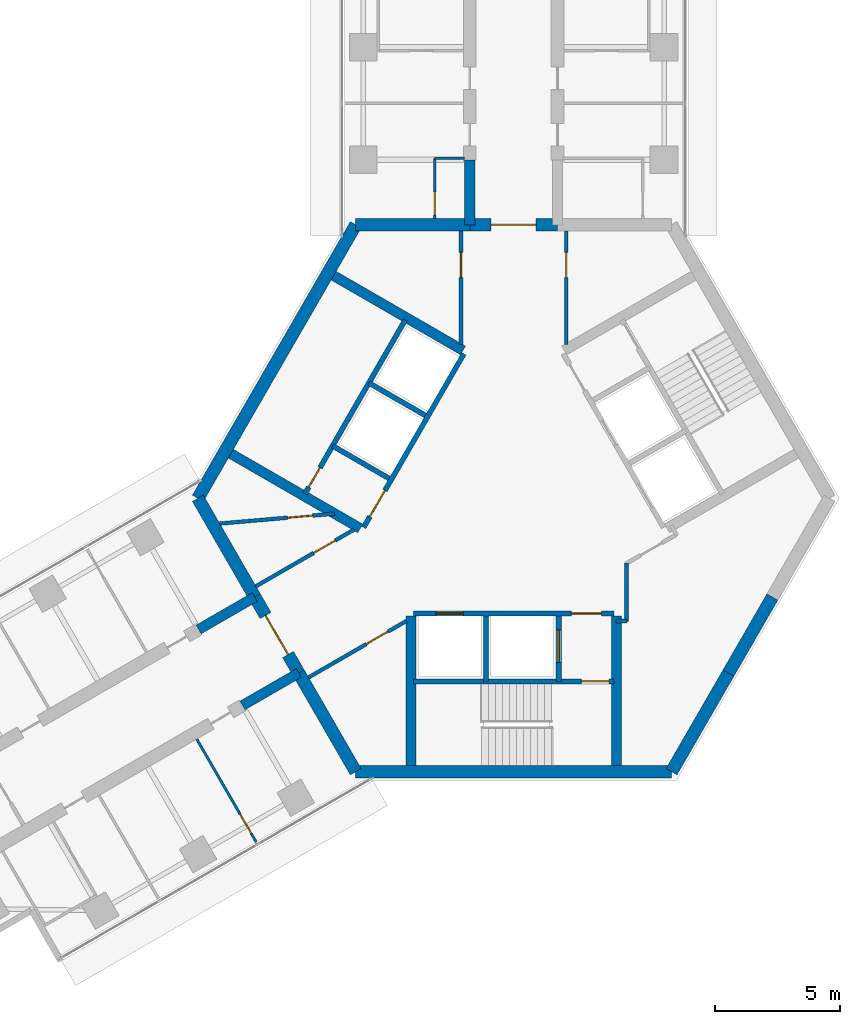
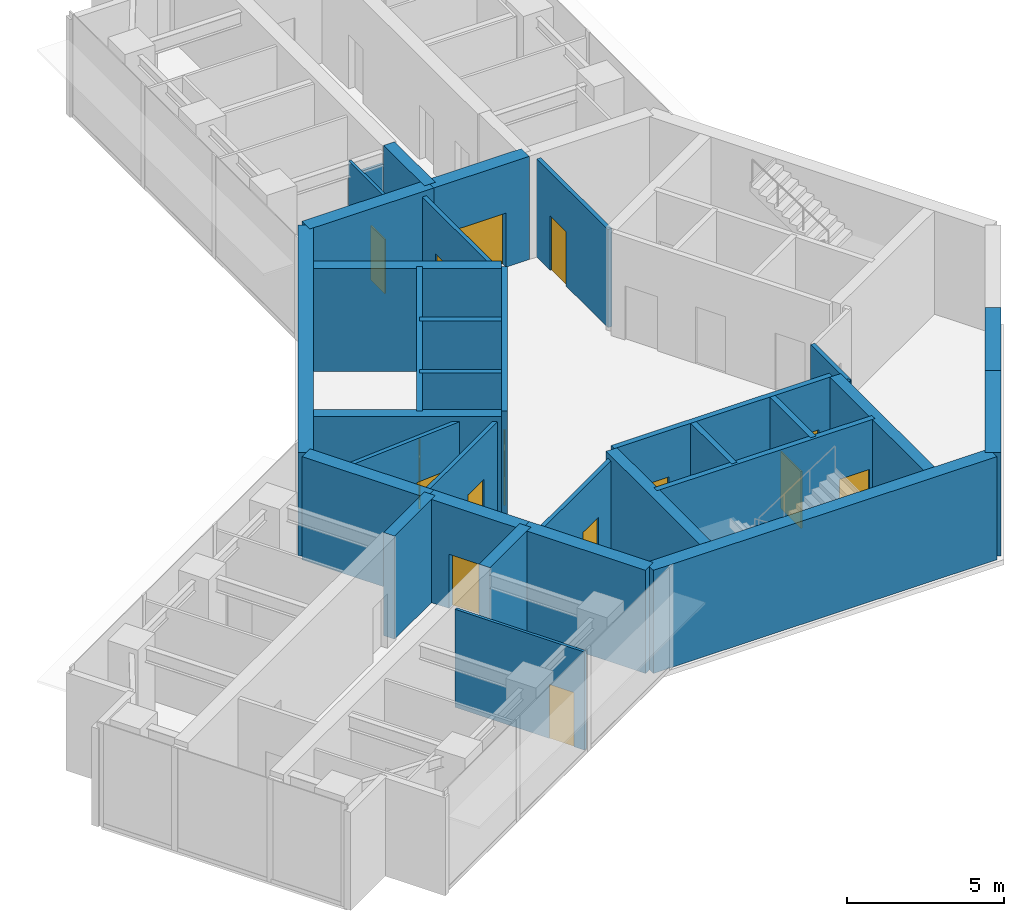
# One storey, part 14 of 17: 34 walls, 15 doors, 15 openings.
"""IFC4 building model written with IfcOpenShell, lengths in metres."""

from ifc_helpers import new_model, si_unit, direction, frame, frame_2d, origin, place, context, subcontext, project, spatial, rectangle, extrude, material, layer, layer_set, type_object, element, fill, save


model = new_model("IFC4")

# Units and contexts
model_context = context("Model", 3, precision=1e-05, world=origin(), true_north=direction((0.0, 1.0)))
body_context = subcontext(model_context, "Body", "Model", "MODEL_VIEW")
ifc_project = project(units=[si_unit("LENGTHUNIT", "METRE"), si_unit("AREAUNIT", "SQUARE_METRE"), si_unit("VOLUMEUNIT", "CUBIC_METRE"), si_unit("PLANEANGLEUNIT", "RADIAN"), si_unit("MASSUNIT", "GRAM", prefix="KILO")], contexts=[model_context])

# Site, building, storey
site_placement = place(None, origin())
site = spatial("IfcSite", under=ifc_project, at=site_placement, CompositionType="ELEMENT")
building_placement = place(site_placement, origin())
building = spatial("IfcBuilding", under=site, at=building_placement, Name="Upepo Twin Towers", CompositionType="ELEMENT")
storey_placement = place(building_placement, frame((0.0, 0.0, 230.5)))
storey = spatial("IfcBuildingStorey", under=building, at=storey_placement, Name="L56", CompositionType="ELEMENT", Elevation=230.5)

# Walls
ifc_material_1 = material(Name="Concrete C60/75", Category="concrete")
ifc_layer_1 = layer(ifc_material_1, 0.39990234375)
ifc_layer_set_1 = layer_set([ifc_layer_1], Name="Concrete C60/75")
wall_type_1 = type_object("IfcWallType", Name="Buttress wall 400 RC", PredefinedType="SHEAR", material=ifc_layer_set_1)
wall_1_placement = place(storey_placement, frame((56.75, -7.091552734375, 0.0), z_axis=(0.0, 0.0, 1.0), x_axis=(0.0, 1.0, 0.0)))
element("IfcWall", 1, at=wall_1_placement, inside=storey, type_object=wall_type_1, Name="T2 wing A buttress wall L", PredefinedType="SHEAR", context=body_context, shape_type="SweptSolid", body=[
    extrude(rectangle(XDim=2.591552734375, YDim=0.39990234375, at=frame_2d((1.2958984375, 0.0))), origin(), (0.0, 0.0, 1.0), 4.0),
])
for number, where, z_axis, x_axis, name in (
    (2, (49.92822265625, -24.9697265625, 0.0), (0.0, 0.0, 1.0), (-0.866031863473, -0.499988811324, 0.0), "T2 wing B buttress wall L"),
    (3, (48.17822265625, -21.938720703125, 0.0), (0.0, 0.0, 1.0), (-0.866072649678, -0.499918158782, 0.0), "T2 wing B buttress wall R"),
):
    element("IfcWall", number, at=place(storey_placement, frame(where, z_axis=z_axis, x_axis=x_axis)), inside=storey, type_object=wall_type_1, Name=name, PredefinedType="SHEAR", context=body_context, shape_type="SweptSolid", body=[
        extrude(rectangle(XDim=2.591796875, YDim=0.39990234375, at=frame_2d((1.2958984375, 0.0))), origin(), (0.0, 0.0, 1.0), 4.0),
    ])

# Wall, opening, door
ifc_material_2 = material(Name="Concrete C60/75", Category="concrete")
ifc_layer_2 = layer(ifc_material_2, 0.5)
ifc_layer_set_2 = layer_set([ifc_layer_2], Name="Concrete C60/75")
wall_type_2 = type_object("IfcWallType", Name="Core wall 500 RC", PredefinedType="SHEAR", material=ifc_layer_set_2)
wall_2_placement = place(storey_placement, frame((60.25, -7.091552734375, 0.0), z_axis=(0.0, 0.0, 1.0), x_axis=(-1.0, 0.0, 0.0)))
wall_2 = element("IfcWall", 4, at=wall_2_placement, inside=storey, type_object=wall_type_2, Name="T2 core wall 000", PredefinedType="SHEAR", context=body_context, shape_type="SweptSolid", body=[
    extrude(rectangle(XDim=3.5, YDim=0.5, at=frame_2d((1.75, 0.0))), origin(), (0.0, 0.0, 1.0), 4.0),
])
opening_1_placement = place(wall_2_placement, frame((0.85009765625, 0.0, 0.0)))
opening_1 = element("IfcOpeningElement", 5, at=opening_1_placement, cuts=wall_2, Name="Opening D2", PredefinedType="OPENING", context=body_context, shape_type="SweptSolid", body=[
    extrude(rectangle(XDim=1.800048828125, YDim=2.10009765625, at=frame_2d((0.89990234375, 1.050048828125))), frame((0.0, 0.260009765625, 0.0), z_axis=(0.0, -1.0, 0.0), x_axis=(1.0, 0.0, 0.0)), (0.0, 0.0, 1.0), 0.52001953125),
])
ifc_material_3 = material(Name="Timber doorset", Category="wood")
door_type_1 = type_object("IfcDoorType", Name="Corridor double door 1800 FD60", OperationType="DOUBLE_DOOR_DOUBLE_SWING", PredefinedType="DOOR", material=ifc_material_3)
door_1_placement = place(opening_1_placement, origin())
door_1 = element("IfcDoor", 6, at=door_1_placement, inside=storey, type_object=door_type_1, Name="T2 L56 wing A corridor door", OperationType="DOUBLE_DOOR_DOUBLE_SWING", OverallHeight=2.10009765625, OverallWidth=1.800048828125, PredefinedType="DOOR", context=body_context, shape_type="SweptSolid", body=[
    extrude(rectangle(XDim=1.800048828125, YDim=2.10009765625, at=frame_2d((0.89990234375, 1.050048828125))), frame((0.0, 0.02490234375, 0.0), z_axis=(0.0, -1.0, 0.0), x_axis=(1.0, 0.0, 0.0)), (0.0, 0.0, 1.0), 0.050048828125),
])
fill(opening_1, door_1)

# Walls
wall_3_placement = place(storey_placement, frame((56.75, -7.091552734375, 0.0), z_axis=(0.0, 0.0, 1.0), x_axis=(-1.0, 0.0, 0.0)))
element("IfcWall", 7, at=wall_3_placement, inside=storey, type_object=wall_type_2, Name="T2 core wall 000 L", PredefinedType="SHEAR", context=body_context, shape_type="SweptSolid", body=[
    extrude(rectangle(XDim=4.5478515625, YDim=0.5, at=frame_2d((2.27392578125, 0.0))), origin(), (0.0, 0.0, 1.0), 4.0),
])
wall_4_placement = place(storey_placement, frame((52.2021484375, -7.091552734375, 0.0), z_axis=(0.0, 0.0, 1.0), x_axis=(-0.500005998175, -0.866021940709, 0.0)))
element("IfcWall", 8, at=wall_4_placement, inside=storey, type_object=wall_type_2, Name="T2 core wall 060", PredefinedType="SHEAR", context=body_context, shape_type="SweptSolid", body=[
    extrude(rectangle(XDim=12.595947265625, YDim=0.5, at=frame_2d((6.2978515625, 0.0))), origin(), (0.0, 0.0, 1.0), 4.0),
])
wall_5_placement = place(storey_placement, frame((45.904052734375, -18.0, 0.0), z_axis=(0.0, 0.0, 1.0), x_axis=(0.500024481964, -0.866011268655, 0.0)))
element("IfcWall", 9, at=wall_5_placement, inside=storey, type_object=wall_type_2, Name="T2 core wall 120 R", PredefinedType="SHEAR", context=body_context, shape_type="SweptSolid", body=[
    extrude(rectangle(XDim=4.548095703125, YDim=0.5, at=frame_2d((2.27392578125, 0.0))), origin(), (0.0, 0.0, 1.0), 4.0),
])

# Wall, opening, door
wall_6_placement = place(storey_placement, frame((48.17822265625, -21.938720703125, 0.0), z_axis=(0.0, 0.0, 1.0), x_axis=(0.500010275428, -0.866019471182, 0.0)))
wall_6 = element("IfcWall", 10, at=wall_6_placement, inside=storey, type_object=wall_type_2, Name="T2 core wall 120", PredefinedType="SHEAR", context=body_context, shape_type="SweptSolid", body=[
    extrude(rectangle(XDim=3.5, YDim=0.5, at=frame_2d((1.75, 0.0))), origin(), (0.0, 0.0, 1.0), 4.0),
])
opening_2_placement = place(wall_6_placement, frame((0.85009765625, 0.0, 0.0)))
opening_2 = element("IfcOpeningElement", 11, at=opening_2_placement, cuts=wall_6, Name="Opening D2", PredefinedType="OPENING", context=body_context, shape_type="SweptSolid", body=[
    extrude(rectangle(XDim=1.800048828125, YDim=2.10009765625, at=frame_2d((0.89990234375, 1.050048828125))), frame((0.0, 0.260009765625, 0.0), z_axis=(0.0, -1.0, 0.0), x_axis=(1.0, 0.0, 0.0)), (0.0, 0.0, 1.0), 0.52001953125),
])
door_2_placement = place(opening_2_placement, origin())
door_2 = element("IfcDoor", 12, at=door_2_placement, inside=storey, type_object=door_type_1, Name="T2 L56 wing B corridor door", OperationType="DOUBLE_DOOR_DOUBLE_SWING", OverallHeight=2.10009765625, OverallWidth=1.800048828125, PredefinedType="DOOR", context=body_context, shape_type="SweptSolid", body=[
    extrude(rectangle(XDim=1.800048828125, YDim=2.10009765625, at=frame_2d((0.89990234375, 1.050048828125))), frame((0.0, 0.02490234375, 0.0), z_axis=(0.0, -1.0, 0.0), x_axis=(1.0, 0.0, 0.0)), (0.0, 0.0, 1.0), 0.050048828125),
])
fill(opening_2, door_2)

# Walls
wall_7_placement = place(storey_placement, frame((49.92822265625, -24.9697265625, 0.0), z_axis=(0.0, 0.0, 1.0), x_axis=(0.499984222037, -0.866034513004, 0.0)))
element("IfcWall", 13, at=wall_7_placement, inside=storey, type_object=wall_type_2, Name="T2 core wall 120 L", PredefinedType="SHEAR", context=body_context, shape_type="SweptSolid", body=[
    extrude(rectangle(XDim=4.548095703125, YDim=0.5, at=frame_2d((2.27392578125, 0.0))), origin(), (0.0, 0.0, 1.0), 4.0),
])
wall_8_placement = place(storey_placement, frame((52.2021484375, -28.908447265625, 0.0), z_axis=(0.0, 0.0, 1.0), x_axis=(1.0, 0.0, 0.0)))
element("IfcWall", 14, at=wall_8_placement, inside=storey, type_object=wall_type_2, Name="T2 core wall 180", PredefinedType="SHEAR", context=body_context, shape_type="SweptSolid", body=[
    extrude(rectangle(XDim=12.595703125, YDim=0.5, at=frame_2d((6.2978515625, 0.0))), origin(), (0.0, 0.0, 1.0), 4.0),
])
wall_9_placement = place(storey_placement, frame((64.7978515625, -28.908447265625, 0.0), z_axis=(0.0, 0.0, 1.0), x_axis=(0.499984222037, 0.866034513004, 0.0)))
element("IfcWall", 15, at=wall_9_placement, inside=storey, type_object=wall_type_2, Name="T2 core wall 240 R", PredefinedType="SHEAR", context=body_context, shape_type="SweptSolid", body=[
    extrude(rectangle(XDim=4.548095703125, YDim=0.5, at=frame_2d((2.27392578125, 0.0))), origin(), (0.0, 0.0, 1.0), 4.0),
])
wall_10_placement = place(storey_placement, frame((67.07177734375, -24.9697265625, 0.0), z_axis=(0.0, 0.0, 1.0), x_axis=(0.500010275428, 0.866019471182, 0.0)))
element("IfcWall", 16, at=wall_10_placement, inside=storey, type_object=wall_type_2, Name="T2 core wall 240", PredefinedType="SHEAR", context=body_context, shape_type="SweptSolid", body=[
    extrude(rectangle(XDim=3.5, YDim=0.5, at=frame_2d((1.75, 0.0))), origin(), (0.0, 0.0, 1.0), 4.0),
])

# Wall, opening, door
ifc_material_4 = material(Name="Gypsum board on steel studs", Category="steel")
ifc_layer_3 = layer(ifc_material_4, 0.10009765625)
ifc_layer_set_3 = layer_set([ifc_layer_3], Name="Office partition 100 stud")
wall_type_3 = type_object("IfcWallType", Name="Office partition 100 stud", PredefinedType="PARTITIONING", material=ifc_layer_set_3)
wall_11_placement = place(storey_placement, frame((55.35009765625, -6.842041015625, 0.0), z_axis=(0.0, 0.0, 1.0), x_axis=(0.0, 1.0, 0.0)))
wall_11 = element("IfcWall", 17, at=wall_11_placement, inside=storey, type_object=wall_type_3, Name="T2 WC bay partition AL at 11.16", PredefinedType="PARTITIONING", context=body_context, shape_type="SweptSolid", body=[
    extrude(rectangle(XDim=2.400146484375, YDim=0.10009765625, at=frame_2d((1.2001953125, 0.0))), origin(), (0.0, 0.0, 1.0), 3.800048828125),
])
opening_3_placement = place(wall_11_placement, frame((0.14990234375, 0.0, 0.0)))
opening_3 = element("IfcOpeningElement", 18, at=opening_3_placement, cuts=wall_11, Name="Opening D14", PredefinedType="OPENING", context=body_context, shape_type="SweptSolid", body=[
    extrude(rectangle(XDim=0.89990234375, YDim=2.10009765625, at=frame_2d((0.449951171875, 1.050048828125))), frame((0.0, 0.06005859375, 0.0), z_axis=(0.0, -1.0, 0.0), x_axis=(1.0, 0.0, 0.0)), (0.0, 0.0, 1.0), 0.1201171875),
])
ifc_material_5 = material(Name="Timber doorset", Category="wood")
door_type_2 = type_object("IfcDoorType", Name="Office door 900 FD30", OperationType="SINGLE_SWING_LEFT", PredefinedType="DOOR", material=ifc_material_5)
door_3_placement = place(opening_3_placement, origin())
door_3 = element("IfcDoor", 19, at=door_3_placement, inside=storey, type_object=door_type_2, Name="T2 L56 WC bay inner room door", OperationType="SINGLE_SWING_LEFT", OverallHeight=2.10009765625, OverallWidth=0.89990234375, PredefinedType="DOOR", context=body_context, shape_type="SweptSolid", body=[
    extrude(rectangle(XDim=0.89990234375, YDim=2.10009765625, at=frame_2d((0.449951171875, 1.050048828125))), frame((0.0, 0.02490234375, 0.0), z_axis=(0.0, -1.0, 0.0), x_axis=(1.0, 0.0, 0.0)), (0.0, 0.0, 1.0), 0.050048828125),
])
fill(opening_3, door_3)

# Wall
wall_12_placement = place(storey_placement, frame((56.550048828125, -4.44189453125, 0.0), z_axis=(0.0, 0.0, 1.0), x_axis=(-1.0, 0.0, 0.0)))
element("IfcWall", 20, at=wall_12_placement, inside=storey, type_object=wall_type_3, Name="T2 WC bay partition AL end at 13.56", PredefinedType="PARTITIONING", context=body_context, shape_type="SweptSolid", body=[
    extrude(rectangle(XDim=1.199951171875, YDim=0.10009765625, at=frame_2d((0.60009765625, 0.0))), origin(), (0.0, 0.0, 1.0), 3.266845703125),
])

# Wall, opening, door
wall_13_placement = place(storey_placement, frame((45.860107421875, -27.60693359375, 0.0), z_axis=(0.0, 0.0, 1.0), x_axis=(0.499986429846, -0.866033238375, 0.0)))
wall_13 = element("IfcWall", 21, at=wall_13_placement, inside=storey, type_object=wall_type_3, Name="T2 partition BL at 15.75", PredefinedType="PARTITIONING", context=body_context, shape_type="SweptSolid", body=[
    extrude(rectangle(XDim=4.750244140625, YDim=0.10009765625, at=frame_2d((2.375, 0.0))), origin(), (0.0, 0.0, 1.0), 3.800048828125),
])
opening_4_placement = place(wall_13_placement, frame((3.449951171875, 0.0, 0.0)))
opening_4 = element("IfcOpeningElement", 22, at=opening_4_placement, cuts=wall_13, Name="Opening D14", PredefinedType="OPENING", context=body_context, shape_type="SweptSolid", body=[
    extrude(rectangle(XDim=0.89990234375, YDim=2.10009765625, at=frame_2d((0.449951171875, 1.050048828125))), frame((0.0, 0.06005859375, 0.0), z_axis=(0.0, -1.0, 0.0), x_axis=(1.0, 0.0, 0.0)), (0.0, 0.0, 1.0), 0.1201171875),
])
door_4_placement = place(opening_4_placement, origin())
door_4 = element("IfcDoor", 23, at=door_4_placement, inside=storey, type_object=door_type_2, Name="T2 L56 connecting door", OperationType="SINGLE_SWING_RIGHT", OverallHeight=2.10009765625, OverallWidth=0.89990234375, PredefinedType="DOOR", context=body_context, shape_type="SweptSolid", body=[
    extrude(rectangle(XDim=0.89990234375, YDim=2.10009765625, at=frame_2d((0.449951171875, 1.050048828125))), frame((0.0, 0.02490234375, 0.0), z_axis=(0.0, -1.0, 0.0), x_axis=(1.0, 0.0, 0.0)), (0.0, 0.0, 1.0), 0.050048828125),
])
fill(opening_4, door_4)

ifc_material_6 = material(Name="Concrete C40/50", Category="concrete")
ifc_layer_4 = layer(ifc_material_6, 0.199951171875)
ifc_layer_set_4 = layer_set([ifc_layer_4], Name="Concrete C40/50")
wall_type_4 = type_object("IfcWallType", Name="Shaft wall 200 RC", PredefinedType="SHEAR", material=ifc_layer_set_4)
wall_14_placement = place(storey_placement, frame((56.516357421875, -12.23583984375, 0.0), z_axis=(0.0, 0.0, 1.0), x_axis=(-0.49999894854, -0.866026010844, 0.0)))
wall_14 = element("IfcWall", 24, at=wall_14_placement, inside=storey, type_object=wall_type_4, Name="T2 core W60 front wall", PredefinedType="SHEAR", context=body_context, shape_type="SweptSolid", body=[
    extrude(rectangle(XDim=8.0, YDim=0.199951171875, at=frame_2d((4.0, 0.0))), origin(), (0.0, 0.0, 1.0), 4.0),
])
opening_5_placement = place(wall_14_placement, frame((6.300048828125, 0.0, 0.0)))
opening_5 = element("IfcOpeningElement", 25, at=opening_5_placement, cuts=wall_14, Name="Opening D4", PredefinedType="OPENING", context=body_context, shape_type="SweptSolid", body=[
    extrude(rectangle(XDim=1.199951171875, YDim=2.10009765625, at=frame_2d((0.60009765625, 1.050048828125))), frame((0.0, 0.10986328125, 0.0), z_axis=(0.0, -1.0, 0.0), x_axis=(1.0, 0.0, 0.0)), (0.0, 0.0, 1.0), 0.219970703125),
])
ifc_material_7 = material(Name="Timber doorset", Category="wood")
door_type_3 = type_object("IfcDoorType", Name="Lobby door 1200 FD60", OperationType="SINGLE_SWING_LEFT", PredefinedType="DOOR", material=ifc_material_7)
door_5_placement = place(opening_5_placement, origin())
door_5 = element("IfcDoor", 26, at=door_5_placement, inside=storey, type_object=door_type_3, Name="T2 L56 W60 lobby door", OperationType="SINGLE_SWING_RIGHT", OverallHeight=2.10009765625, OverallWidth=1.199951171875, PredefinedType="DOOR", context=body_context, shape_type="SweptSolid", body=[
    extrude(rectangle(XDim=1.199951171875, YDim=2.10009765625, at=frame_2d((0.60009765625, 1.050048828125))), frame((0.0, 0.02490234375, 0.0), z_axis=(0.0, -1.0, 0.0), x_axis=(1.0, 0.0, 0.0)), (0.0, 0.0, 1.0), 0.050048828125),
])
fill(opening_5, door_5)

# Walls
for number, where, z_axis, x_axis, name in (
    (27, (54.979736328125, -14.697265625, 0.0), (0.0, 0.0, 1.0), (-0.866062058628, 0.499936506574, 0.0), "T2 core W60 shaft divider"),
    (28, (53.52978515625, -17.208740234375, 0.0), (0.0, 0.0, 1.0), (-0.866062058628, 0.499936506574, 0.0), "T2 core W60 lobby wall"),
):
    element("IfcWall", number, at=place(storey_placement, frame(where, z_axis=z_axis, x_axis=x_axis)), inside=storey, type_object=wall_type_4, Name=name, PredefinedType="SHEAR", context=body_context, shape_type="SweptSolid", body=[
        extrude(rectangle(XDim=2.599853515625, YDim=0.199951171875, at=frame_2d((1.2998046875, 0.0))), origin(), (0.0, 0.0, 1.0), 4.0),
    ])

# Wall, opening, door
wall_15_placement = place(storey_placement, frame((54.177978515625, -10.885986328125, 0.0), z_axis=(0.0, 0.0, 1.0), x_axis=(-0.49999894854, -0.866026010844, 0.0)))
wall_15 = element("IfcWall", 29, at=wall_15_placement, inside=storey, type_object=wall_type_4, Name="T2 core W60 stair wall", PredefinedType="SHEAR", context=body_context, shape_type="SweptSolid", body=[
    extrude(rectangle(XDim=8.0, YDim=0.199951171875, at=frame_2d((4.0, 0.0))), origin(), (0.0, 0.0, 1.0), 4.0),
])
opening_6_placement = place(wall_15_placement, frame((6.800048828125, 0.0, 0.0)))
opening_6 = element("IfcOpeningElement", 30, at=opening_6_placement, cuts=wall_15, Name="Opening D9", PredefinedType="OPENING", context=body_context, shape_type="SweptSolid", body=[
    extrude(rectangle(XDim=0.89990234375, YDim=2.10009765625, at=frame_2d((0.449951171875, 1.050048828125))), frame((0.0, 0.10986328125, 0.0), z_axis=(0.0, -1.0, 0.0), x_axis=(1.0, 0.0, 0.0)), (0.0, 0.0, 1.0), 0.219970703125),
])
ifc_material_8 = material(Name="Timber doorset", Category="wood")
door_type_4 = type_object("IfcDoorType", Name="Riser door 900 FD60", OperationType="SINGLE_SWING_LEFT", PredefinedType="DOOR", material=ifc_material_8)
door_6_placement = place(opening_6_placement, origin())
door_6 = element("IfcDoor", 31, at=door_6_placement, inside=storey, type_object=door_type_4, Name="T2 L56 riser door", OperationType="SINGLE_SWING_RIGHT", OverallHeight=2.10009765625, OverallWidth=0.89990234375, PredefinedType="DOOR", context=body_context, shape_type="SweptSolid", body=[
    extrude(rectangle(XDim=0.89990234375, YDim=2.10009765625, at=frame_2d((0.449951171875, 1.050048828125))), frame((0.0, 0.02490234375, 0.0), z_axis=(0.0, -1.0, 0.0), x_axis=(1.0, 0.0, 0.0)), (0.0, 0.0, 1.0), 0.050048828125),
])
fill(opening_6, door_6)

# Wall, openings, doors
wall_16_placement = place(storey_placement, frame((54.5, -22.60009765625, 0.0), z_axis=(0.0, 0.0, 1.0), x_axis=(1.0, 0.0, 0.0)))
wall_16 = element("IfcWall", 32, at=wall_16_placement, inside=storey, type_object=wall_type_4, Name="T2 core W180 front wall", PredefinedType="SHEAR", context=body_context, shape_type="SweptSolid", body=[
    extrude(rectangle(XDim=8.0, YDim=0.199951171875, at=frame_2d((4.0, 0.0))), origin(), (0.0, 0.0, 1.0), 4.0),
])
opening_7_placement = place(wall_16_placement, frame((6.300048828125, 0.0, 0.0)))
opening_7 = element("IfcOpeningElement", 33, at=opening_7_placement, cuts=wall_16, Name="Opening D4", PredefinedType="OPENING", context=body_context, shape_type="SweptSolid", body=[
    extrude(rectangle(XDim=1.199951171875, YDim=2.10009765625, at=frame_2d((0.60009765625, 1.050048828125))), frame((0.0, 0.10986328125, 0.0), z_axis=(0.0, -1.0, 0.0), x_axis=(1.0, 0.0, 0.0)), (0.0, 0.0, 1.0), 0.219970703125),
])
opening_8_placement = place(wall_16_placement, frame((0.89990234375, 0.0, 0.0)))
opening_8 = element("IfcOpeningElement", 34, at=opening_8_placement, cuts=wall_16, Name="Opening LD1", PredefinedType="OPENING", context=body_context, shape_type="SweptSolid", body=[
    extrude(rectangle(XDim=1.10009765625, YDim=2.199951171875, at=frame_2d((0.550048828125, 1.10009765625))), frame((0.0, 0.10986328125, 0.0), z_axis=(0.0, -1.0, 0.0), x_axis=(1.0, 0.0, 0.0)), (0.0, 0.0, 1.0), 0.219970703125),
])
ifc_material_9 = material(Name="Steel doorset", Category="steel")
door_type_5 = type_object("IfcDoorType", Name="Lift landing door 1100", OperationType="DOUBLE_DOOR_SLIDING", PredefinedType="DOOR", material=ifc_material_9)
door_7_placement = place(opening_8_placement, origin())
door_7 = element("IfcDoor", 35, at=door_7_placement, inside=storey, type_object=door_type_5, Name="T2 L56 lift SV1 landing door", OperationType="DOUBLE_DOOR_SLIDING", OverallHeight=2.199951171875, OverallWidth=1.10009765625, PredefinedType="DOOR", context=body_context, shape_type="SweptSolid", body=[
    extrude(rectangle(XDim=1.10009765625, YDim=2.199951171875, at=frame_2d((0.550048828125, 1.10009765625))), frame((0.0, 0.02490234375, 0.0), z_axis=(0.0, -1.0, 0.0), x_axis=(1.0, 0.0, 0.0)), (0.0, 0.0, 1.0), 0.050048828125),
])
fill(opening_8, door_7)
door_8_placement = place(opening_7_placement, origin())
door_8 = element("IfcDoor", 36, at=door_8_placement, inside=storey, type_object=door_type_3, Name="T2 L56 W180 lobby door", OperationType="SINGLE_SWING_RIGHT", OverallHeight=2.10009765625, OverallWidth=1.199951171875, PredefinedType="DOOR", context=body_context, shape_type="SweptSolid", body=[
    extrude(rectangle(XDim=1.199951171875, YDim=2.10009765625, at=frame_2d((0.60009765625, 1.050048828125))), frame((0.0, 0.02490234375, 0.0), z_axis=(0.0, -1.0, 0.0), x_axis=(1.0, 0.0, 0.0)), (0.0, 0.0, 1.0), 0.050048828125),
])
fill(opening_7, door_8)

# Wall
wall_17_placement = place(storey_placement, frame((57.39990234375, -22.699951171875, 0.0), z_axis=(0.0, 0.0, 1.0), x_axis=(0.0, -1.0, 0.0)))
element("IfcWall", 37, at=wall_17_placement, inside=storey, type_object=wall_type_4, Name="T2 core W180 shaft divider", PredefinedType="SHEAR", context=body_context, shape_type="SweptSolid", body=[
    extrude(rectangle(XDim=2.60009765625, YDim=0.199951171875, at=frame_2d((1.300048828125, 0.0))), origin(), (0.0, 0.0, 1.0), 4.0),
])

# Wall, opening, door
wall_18_placement = place(storey_placement, frame((60.300048828125, -22.699951171875, 0.0), z_axis=(0.0, 0.0, 1.0), x_axis=(0.0, -1.0, 0.0)))
wall_18 = element("IfcWall", 38, at=wall_18_placement, inside=storey, type_object=wall_type_4, Name="T2 core W180 lobby wall", PredefinedType="SHEAR", context=body_context, shape_type="SweptSolid", body=[
    extrude(rectangle(XDim=2.60009765625, YDim=0.199951171875, at=frame_2d((1.300048828125, 0.0))), origin(), (0.0, 0.0, 1.0), 4.0),
])
opening_9_placement = place(wall_18_placement, frame((0.550048828125, 0.0, 0.0)))
opening_9 = element("IfcOpeningElement", 39, at=opening_9_placement, cuts=wall_18, Name="Opening LD2", PredefinedType="OPENING", context=body_context, shape_type="SweptSolid", body=[
    extrude(rectangle(XDim=1.300048828125, YDim=2.199951171875, at=frame_2d((0.64990234375, 1.10009765625))), frame((0.0, 0.10986328125, 0.0), z_axis=(0.0, -1.0, 0.0), x_axis=(1.0, 0.0, 0.0)), (0.0, 0.0, 1.0), 0.219970703125),
])
ifc_material_10 = material(Name="Steel doorset", Category="steel")
door_type_6 = type_object("IfcDoorType", Name="Firefighting lift landing door 1300", OperationType="DOUBLE_DOOR_SLIDING", PredefinedType="DOOR", material=ifc_material_10)
door_9_placement = place(opening_9_placement, origin())
door_9 = element("IfcDoor", 40, at=door_9_placement, inside=storey, type_object=door_type_6, Name="T2 L56 firefighting lift landing door", OperationType="DOUBLE_DOOR_SLIDING", OverallHeight=2.199951171875, OverallWidth=1.300048828125, PredefinedType="DOOR", context=body_context, shape_type="SweptSolid", body=[
    extrude(rectangle(XDim=1.300048828125, YDim=2.199951171875, at=frame_2d((0.64990234375, 1.10009765625))), frame((0.0, 0.02490234375, 0.0), z_axis=(0.0, -1.0, 0.0), x_axis=(1.0, 0.0, 0.0)), (0.0, 0.0, 1.0), 0.050048828125),
])
fill(opening_9, door_9)

wall_19_placement = place(storey_placement, frame((54.5, -25.300048828125, 0.0), z_axis=(0.0, 0.0, 1.0), x_axis=(1.0, 0.0, 0.0)))
wall_19 = element("IfcWall", 41, at=wall_19_placement, inside=storey, type_object=wall_type_4, Name="T2 core W180 stair wall", PredefinedType="SHEAR", context=body_context, shape_type="SweptSolid", body=[
    extrude(rectangle(XDim=8.0, YDim=0.199951171875, at=frame_2d((4.0, 0.0))), origin(), (0.0, 0.0, 1.0), 4.0),
])
opening_10_placement = place(wall_19_placement, frame((6.699951171875, 0.0, 0.0)))
opening_10 = element("IfcOpeningElement", 42, at=opening_10_placement, cuts=wall_19, Name="Opening D3", PredefinedType="OPENING", context=body_context, shape_type="SweptSolid", body=[
    extrude(rectangle(XDim=1.10009765625, YDim=2.10009765625, at=frame_2d((0.550048828125, 1.050048828125))), frame((0.0, 0.10986328125, 0.0), z_axis=(0.0, -1.0, 0.0), x_axis=(1.0, 0.0, 0.0)), (0.0, 0.0, 1.0), 0.219970703125),
])
ifc_material_11 = material(Name="Timber doorset", Category="wood")
door_type_7 = type_object("IfcDoorType", Name="Stair door 1100 FD60", OperationType="SINGLE_SWING_LEFT", PredefinedType="DOOR", material=ifc_material_11)
door_10_placement = place(opening_10_placement, origin())
door_10 = element("IfcDoor", 43, at=door_10_placement, inside=storey, type_object=door_type_7, Name="T2 L56 stair door", OperationType="SINGLE_SWING_RIGHT", OverallHeight=2.10009765625, OverallWidth=1.10009765625, PredefinedType="DOOR", context=body_context, shape_type="SweptSolid", body=[
    extrude(rectangle(XDim=1.10009765625, YDim=2.10009765625, at=frame_2d((0.550048828125, 1.050048828125))), frame((0.0, 0.02490234375, 0.0), z_axis=(0.0, -1.0, 0.0), x_axis=(1.0, 0.0, 0.0)), (0.0, 0.0, 1.0), 0.050048828125),
])
fill(opening_10, door_10)

# Walls
ifc_material_12 = material(Name="Concrete C40/50", Category="concrete")
ifc_layer_5 = layer(ifc_material_12, 0.39990234375)
ifc_layer_set_5 = layer_set([ifc_layer_5], Name="Concrete C40/50")
wall_type_5 = type_object("IfcWallType", Name="Shaft wall 400 RC", PredefinedType="SHEAR", material=ifc_layer_set_5)
wall_20_placement = place(storey_placement, frame((52.379638671875, -19.20068359375, 0.0), z_axis=(0.0, 0.0, 1.0), x_axis=(-0.866012946976, 0.500021575205, 0.0)))
element("IfcWall", 44, at=wall_20_placement, inside=storey, type_object=wall_type_5, Name="T2 core W60 side wall N", PredefinedType="SHEAR", context=body_context, shape_type="SweptSolid", body=[
    extrude(rectangle(XDim=5.958251953125, YDim=0.39990234375, at=frame_2d((2.97900390625, 0.0))), origin(), (0.0, 0.0, 1.0), 4.0),
])
for number, where, z_axis, x_axis, name in (
    (45, (56.479736328125, -12.099365234375, 0.0), (0.0, 0.0, 1.0), (-0.86602319114, 0.500003832394, 0.0), "T2 core W60 side wall S"),
    (46, (62.60009765625, -22.699951171875, 0.0), (0.0, 0.0, 1.0), (0.0, -1.0, 0.0), "T2 core W180 side wall N"),
    (47, (54.39990234375, -22.699951171875, 0.0), (0.0, 0.0, 1.0), (0.0, -1.0, 0.0), "T2 core W180 side wall S"),
):
    element("IfcWall", number, at=place(storey_placement, frame(where, z_axis=z_axis, x_axis=x_axis)), inside=storey, type_object=wall_type_5, Name=name, PredefinedType="SHEAR", context=body_context, shape_type="SweptSolid", body=[
        extrude(rectangle(XDim=5.95849609375, YDim=0.39990234375, at=frame_2d((2.979248046875, 0.0))), origin(), (0.0, 0.0, 1.0), 4.0),
    ])
ifc_material_13 = material(Name="Gypsum board on steel studs", Category="steel")
ifc_layer_6 = layer(ifc_material_13, 0.14990234375)
ifc_layer_set_6 = layer_set([ifc_layer_6], Name="Teaching partition 150 acoustic")
wall_type_6 = type_object("IfcWallType", Name="Teaching partition 150 acoustic", PredefinedType="PARTITIONING", material=ifc_layer_set_6)
wall_21_placement = place(storey_placement, frame((63.02001953125, -22.89990234375, 0.0), z_axis=(0.0, 0.0, 1.0), x_axis=(-1.0, 0.0, 0.0)))
element("IfcWall", 48, at=wall_21_placement, inside=storey, type_object=wall_type_6, Name="T2 core room partition 1", PredefinedType="PARTITIONING", context=body_context, shape_type="SweptSolid", body=[
    extrude(rectangle(XDim=0.429931640625, YDim=0.14990234375, at=frame_2d((0.21484375, 0.0))), origin(), (0.0, 0.0, 1.0), 3.800048828125),
])

# Wall, opening, door
wall_22_placement = place(storey_placement, frame((54.230224609375, -22.889892578125, 0.0), z_axis=(0.0, 0.0, 1.0), x_axis=(-0.866006805923, -0.500032211057, 0.0)))
wall_22 = element("IfcWall", 49, at=wall_22_placement, inside=storey, type_object=wall_type_6, Name="T2 core room partition 2", PredefinedType="PARTITIONING", context=body_context, shape_type="SweptSolid", body=[
    extrude(rectangle(XDim=4.525634765625, YDim=0.14990234375, at=frame_2d((2.2626953125, 0.0))), origin(), (0.0, 0.0, 1.0), 3.800048828125),
])
opening_11_placement = place(wall_22_placement, frame((0.857666015625, 0.0, 0.0)))
opening_11 = element("IfcOpeningElement", 50, at=opening_11_placement, cuts=wall_22, Name="Opening D1", PredefinedType="OPENING", context=body_context, shape_type="SweptSolid", body=[
    extrude(rectangle(XDim=1.0, YDim=2.10009765625, at=frame_2d((0.5, 1.050048828125))), frame((0.0, 0.0849609375, 0.0), z_axis=(0.0, -1.0, 0.0), x_axis=(1.0, 0.0, 0.0)), (0.0, 0.0, 1.0), 0.169921875),
])
ifc_material_14 = material(Name="Timber doorset", Category="wood")
door_type_8 = type_object("IfcDoorType", Name="Room door 1000 FD30", OperationType="SINGLE_SWING_LEFT", PredefinedType="DOOR", material=ifc_material_14)
door_11_placement = place(opening_11_placement, origin())
door_11 = element("IfcDoor", 51, at=door_11_placement, inside=storey, type_object=door_type_8, Name="T2 L56 core room door K3", OperationType="SINGLE_SWING_LEFT", OverallHeight=2.10009765625, OverallWidth=1.0, PredefinedType="DOOR", context=body_context, shape_type="SweptSolid", body=[
    extrude(rectangle(XDim=1.0, YDim=2.10009765625, at=frame_2d((0.5, 1.050048828125))), frame((0.0, 0.02490234375, 0.0), z_axis=(0.0, -1.0, 0.0), x_axis=(1.0, 0.0, 0.0)), (0.0, 0.0, 1.0), 0.050048828125),
])
fill(opening_11, door_11)

wall_23_placement = place(storey_placement, frame((48.2109375, -21.515380859375, 0.0), z_axis=(0.0, 0.0, 1.0), x_axis=(0.866043651885, 0.499968392031, 0.0)))
wall_23 = element("IfcWall", 52, at=wall_23_placement, inside=storey, type_object=wall_type_6, Name="T2 core room partition 3", PredefinedType="PARTITIONING", context=body_context, shape_type="SweptSolid", body=[
    extrude(rectangle(XDim=4.525634765625, YDim=0.14990234375, at=frame_2d((2.2626953125, 0.0))), origin(), (0.0, 0.0, 1.0), 3.800048828125),
])
opening_12_placement = place(wall_23_placement, frame((2.66796875, 0.0, 0.0)))
opening_12 = element("IfcOpeningElement", 53, at=opening_12_placement, cuts=wall_23, Name="Opening D1", PredefinedType="OPENING", context=body_context, shape_type="SweptSolid", body=[
    extrude(rectangle(XDim=1.0, YDim=2.10009765625, at=frame_2d((0.5, 1.050048828125))), frame((0.0, 0.0849609375, 0.0), z_axis=(0.0, -1.0, 0.0), x_axis=(1.0, 0.0, 0.0)), (0.0, 0.0, 1.0), 0.169921875),
])
door_12_placement = place(opening_12_placement, origin())
door_12 = element("IfcDoor", 54, at=door_12_placement, inside=storey, type_object=door_type_8, Name="T2 L56 core room door K2", OperationType="SINGLE_SWING_RIGHT", OverallHeight=2.10009765625, OverallWidth=1.0, PredefinedType="DOOR", context=body_context, shape_type="SweptSolid", body=[
    extrude(rectangle(XDim=1.0, YDim=2.10009765625, at=frame_2d((0.5, 1.050048828125))), frame((0.0, 0.02490234375, 0.0), z_axis=(0.0, -1.0, 0.0), x_axis=(1.0, 0.0, 0.0)), (0.0, 0.0, 1.0), 0.050048828125),
])
fill(opening_12, door_12)

wall_24_placement = place(storey_placement, frame((56.39990234375, -11.857421875, 0.0), z_axis=(0.0, 0.0, 1.0), x_axis=(0.0, 1.0, 0.0)))
wall_24 = element("IfcWall", 55, at=wall_24_placement, inside=storey, type_object=wall_type_6, Name="T2 core room partition 4", PredefinedType="PARTITIONING", context=body_context, shape_type="SweptSolid", body=[
    extrude(rectangle(XDim=4.525634765625, YDim=0.14990234375, at=frame_2d((2.2626953125, 0.0))), origin(), (0.0, 0.0, 1.0), 3.800048828125),
])
opening_13_placement = place(wall_24_placement, frame((2.66796875, 0.0, 0.0)))
opening_13 = element("IfcOpeningElement", 56, at=opening_13_placement, cuts=wall_24, Name="Opening D1", PredefinedType="OPENING", context=body_context, shape_type="SweptSolid", body=[
    extrude(rectangle(XDim=1.0, YDim=2.10009765625, at=frame_2d((0.5, 1.050048828125))), frame((0.0, 0.0849609375, 0.0), z_axis=(0.0, -1.0, 0.0), x_axis=(1.0, 0.0, 0.0)), (0.0, 0.0, 1.0), 0.169921875),
])
door_13_placement = place(opening_13_placement, origin())
door_13 = element("IfcDoor", 57, at=door_13_placement, inside=storey, type_object=door_type_8, Name="T2 L56 core room door K6", OperationType="SINGLE_SWING_RIGHT", OverallHeight=2.10009765625, OverallWidth=1.0, PredefinedType="DOOR", context=body_context, shape_type="SweptSolid", body=[
    extrude(rectangle(XDim=1.0, YDim=2.10009765625, at=frame_2d((0.5, 1.050048828125))), frame((0.0, 0.02490234375, 0.0), z_axis=(0.0, -1.0, 0.0), x_axis=(1.0, 0.0, 0.0)), (0.0, 0.0, 1.0), 0.050048828125),
])
fill(opening_13, door_13)

wall_25_placement = place(storey_placement, frame((60.60009765625, -7.331787109375, 0.0), z_axis=(0.0, 0.0, 1.0), x_axis=(0.0, -1.0, 0.0)))
wall_25 = element("IfcWall", 58, at=wall_25_placement, inside=storey, type_object=wall_type_6, Name="T2 core room partition 5", PredefinedType="PARTITIONING", context=body_context, shape_type="SweptSolid", body=[
    extrude(rectangle(XDim=4.525634765625, YDim=0.14990234375, at=frame_2d((2.2626953125, 0.0))), origin(), (0.0, 0.0, 1.0), 3.800048828125),
])
opening_14_placement = place(wall_25_placement, frame((0.857666015625, 0.0, 0.0)))
opening_14 = element("IfcOpeningElement", 59, at=opening_14_placement, cuts=wall_25, Name="Opening D1", PredefinedType="OPENING", context=body_context, shape_type="SweptSolid", body=[
    extrude(rectangle(XDim=1.0, YDim=2.10009765625, at=frame_2d((0.5, 1.050048828125))), frame((0.0, 0.0849609375, 0.0), z_axis=(0.0, -1.0, 0.0), x_axis=(1.0, 0.0, 0.0)), (0.0, 0.0, 1.0), 0.169921875),
])
door_14_placement = place(opening_14_placement, origin())
door_14 = element("IfcDoor", 60, at=door_14_placement, inside=storey, type_object=door_type_8, Name="T2 L56 core room door K5", OperationType="SINGLE_SWING_LEFT", OverallHeight=2.10009765625, OverallWidth=1.0, PredefinedType="DOOR", context=body_context, shape_type="SweptSolid", body=[
    extrude(rectangle(XDim=1.0, YDim=2.10009765625, at=frame_2d((0.5, 1.050048828125))), frame((0.0, 0.02490234375, 0.0), z_axis=(0.0, -1.0, 0.0), x_axis=(1.0, 0.0, 0.0)), (0.0, 0.0, 1.0), 0.050048828125),
])
fill(opening_14, door_14)

# Wall
wall_26_placement = place(storey_placement, frame((63.0, -20.578125, 0.0), z_axis=(0.0, 0.0, 1.0), x_axis=(0.0, -1.0, 0.0)))
element("IfcWall", 61, at=wall_26_placement, inside=storey, type_object=wall_type_6, Name="T2 core room partition 8", PredefinedType="PARTITIONING", context=body_context, shape_type="SweptSolid", body=[
    extrude(rectangle(XDim=2.341796875, YDim=0.14990234375, at=frame_2d((1.1708984375, 0.0))), origin(), (0.0, 0.0, 1.0), 3.800048828125),
])

# Wall, opening, door
wall_27_placement = place(storey_placement, frame((51.36376953125, -18.614013671875, 0.0), z_axis=(0.0, 0.0, 1.0), x_axis=(-0.996314617181, -0.085774026317, 0.0)))
wall_27 = element("IfcWall", 62, at=wall_27_placement, inside=storey, type_object=wall_type_6, Name="T2 core room partition 9", PredefinedType="PARTITIONING", context=body_context, shape_type="SweptSolid", body=[
    extrude(rectangle(XDim=4.60546875, YDim=0.14990234375, at=frame_2d((2.302734375, 0.0))), origin(), (0.0, 0.0, 1.0), 3.800048828125),
])
opening_15_placement = place(wall_27_placement, frame((0.881591796875, 0.0, 0.0)))
opening_15 = element("IfcOpeningElement", 63, at=opening_15_placement, cuts=wall_27, Name="Opening D1", PredefinedType="OPENING", context=body_context, shape_type="SweptSolid", body=[
    extrude(rectangle(XDim=1.0, YDim=2.10009765625, at=frame_2d((0.5, 1.050048828125))), frame((0.0, 0.0849609375, 0.0), z_axis=(0.0, -1.0, 0.0), x_axis=(1.0, 0.0, 0.0)), (0.0, 0.0, 1.0), 0.169921875),
])
door_15_placement = place(opening_15_placement, origin())
door_15 = element("IfcDoor", 64, at=door_15_placement, inside=storey, type_object=door_type_8, Name="T2 L56 core room door K1", OperationType="SINGLE_SWING_LEFT", OverallHeight=2.10009765625, OverallWidth=1.0, PredefinedType="DOOR", context=body_context, shape_type="SweptSolid", body=[
    extrude(rectangle(XDim=1.0, YDim=2.10009765625, at=frame_2d((0.5, 1.050048828125))), frame((0.0, 0.02490234375, 0.0), z_axis=(0.0, -1.0, 0.0), x_axis=(1.0, 0.0, 0.0)), (0.0, 0.0, 1.0), 0.050048828125),
])
fill(opening_15, door_15)

save(model, "model.ifc")
